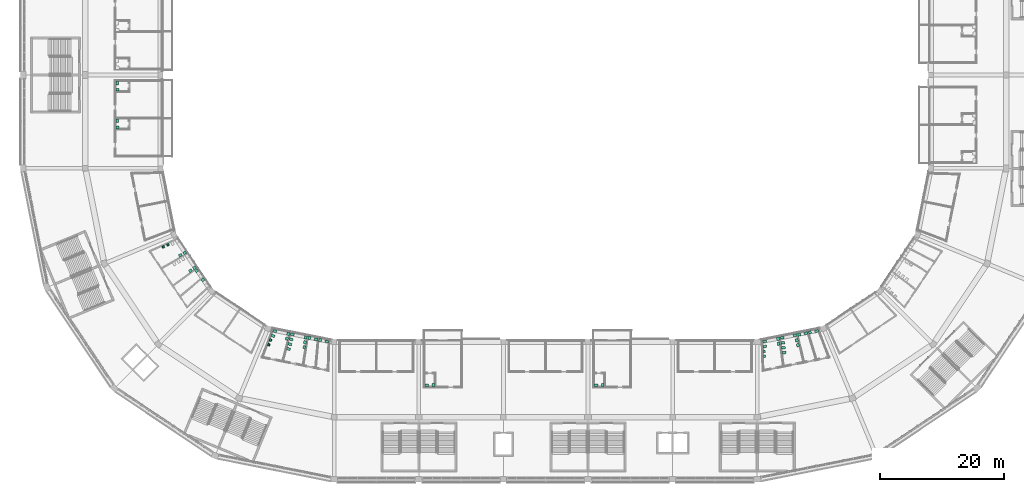
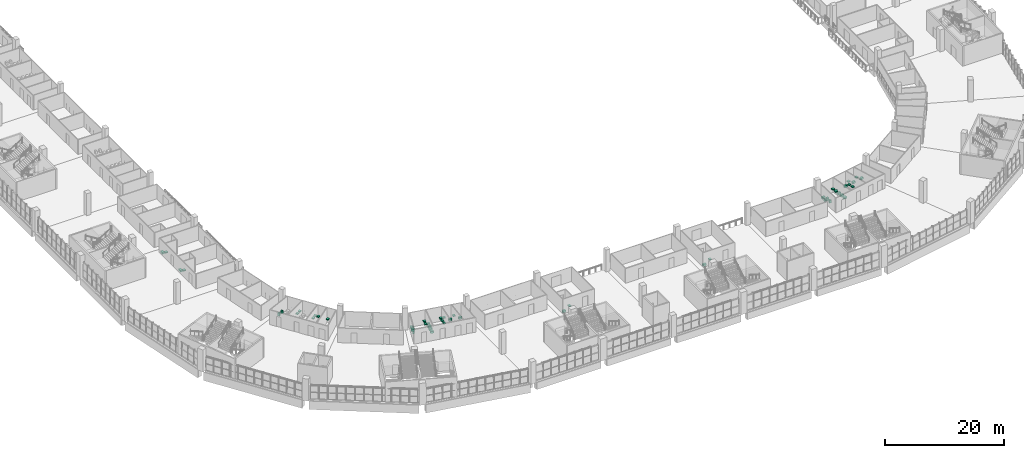
# One storey, part 195 of 199: 50 sanitary terminals.
"""IFC4 building model written with IfcOpenShell, lengths in metres."""

from ifc_helpers import new_model, si_unit, direction, frame, origin, origin_2d, place, context, subcontext, project, spatial, rectangle, extrude, material, type_object, element, save


model = new_model("IFC4")

# Units and contexts
model_context = context("Model", 3, precision=1e-05, world=origin(), true_north=direction((0.0, 1.0)))
body_context = subcontext(model_context, "Body", "Model", "MODEL_VIEW")
ifc_project = project(units=[si_unit("LENGTHUNIT", "METRE"), si_unit("AREAUNIT", "SQUARE_METRE"), si_unit("VOLUMEUNIT", "CUBIC_METRE"), si_unit("PLANEANGLEUNIT", "RADIAN"), si_unit("MASSUNIT", "GRAM", prefix="KILO")], contexts=[model_context])

# Site, building, storey
site_placement = place(None, origin())
site = spatial("IfcSite", under=ifc_project, at=site_placement, CompositionType="ELEMENT")
building_placement = place(site_placement, origin())
building = spatial("IfcBuilding", under=site, at=building_placement, Name="Ogive Plaza Stadium", CompositionType="ELEMENT")
storey_placement = place(building_placement, frame((0.0, 0.0, 9.0)))
storey = spatial("IfcBuildingStorey", under=building, at=storey_placement, Name="L02", CompositionType="ELEMENT", Elevation=9.0)

# Sanitary terminals
ifc_material_1 = material(Name="Vitreous china", Category="ceramic")
sanitary_terminal_type_1 = type_object("IfcSanitaryTerminalType", Name="Drinking fountain", PredefinedType="SANITARYFOUNTAIN", material=ifc_material_1)
sanitary_terminal_placement = place(storey_placement, frame((-38.794921875, -81.2392578125, 0.7998046875), z_axis=(0.0, 0.0, 1.0), x_axis=(-0.157790980185, -0.987472534591, 0.0)))
element("IfcSanitaryTerminal", 1, at=sanitary_terminal_placement, inside=storey, type_object=sanitary_terminal_type_1, Name="Drinking fountain L02-064", PredefinedType="SANITARYFOUNTAIN", context=body_context, shape_type="SweptSolid", body=[
    extrude(rectangle(XDim=0.449951171875, YDim=0.39990234375, at=origin_2d()), origin(), (0.0, 0.0, 1.0), 0.199951171875),
])
ifc_material_2 = material(Name="Vitreous china", Category="ceramic")
sanitary_terminal_type_2 = type_object("IfcSanitaryTerminalType", Name="Lavatory", PredefinedType="WASHHANDBASIN", material=ifc_material_2)
for number, where, z_axis, x_axis, name in (
    (2, (37.3515625, -79.898193359375, 0.7998046875), (0.0, 0.0, 1.0), (0.129510380436, -0.991578066195, 0.0), "Lavatory L02-047"),
    (3, (37.455078125, -80.691650390625, 0.7998046875), (0.0, 0.0, 1.0), (0.129510380436, -0.991578066195, 0.0), "Lavatory L02-047"),
    (4, (-41.388427734375, -79.09521484375, 0.7998046875), (0.0, 0.0, 1.0), (-0.259808508097, -0.965660157157, 0.0), "Lavatory L02-063"),
    (5, (-41.59619140625, -79.867919921875, 0.7998046875), (0.0, 0.0, 1.0), (-0.259808508097, -0.965660157157, 0.0), "Lavatory L02-063"),
    (6, (-58.030029296875, -66.081298828125, 0.7998046875), (0.0, 0.0, 1.0), (-0.866537203333, -0.499112487562, 0.0), "Lavatory L02-069"),
    (7, (-58.723388671875, -66.480712890625, 0.7998046875), (0.0, 0.0, 1.0), (-0.866537203333, -0.499112487562, 0.0), "Lavatory L02-069"),
    (8, (40.364013671875, -80.138671875, 0.7998046875), (0.0, 0.0, 1.0), (0.232109521896, -0.97268965752, 0.0), "Lavatory L02-048"),
    (9, (40.5498046875, -80.916748046875, 0.7998046875), (0.0, 0.0, 1.0), (0.232109521896, -0.97268965752, 0.0), "Lavatory L02-048"),
    (10, (-38.571044921875, -79.68017578125, 0.7998046875), (0.0, 0.0, 1.0), (-0.157790980185, -0.987472534591, 0.0), "Lavatory L02-064"),
    (11, (-38.697265625, -80.47021484375, 0.7998046875), (0.0, 0.0, 1.0), (-0.157790980185, -0.987472534591, 0.0), "Lavatory L02-064"),
    (12, (-56.451416015625, -68.487060546875, 0.7998046875), (0.0, 0.0, 1.0), (-0.809823597544, -0.586673453346, 0.0), "Lavatory L02-070"),
    (13, (-57.099365234375, -68.956298828125, 0.7998046875), (0.0, 0.0, 1.0), (-0.809823597544, -0.586673453346, 0.0), "Lavatory L02-070"),
    (14, (40.75244140625, -79.2275390625, 0.7998046875), (0.0, 0.0, 1.0), (0.237024665741, -0.971503632433, 0.0), "Lavatory L02-049"),
    (15, (42.47802734375, -78.868408203125, 0.7998046875), (0.0, 0.0, 1.0), (0.298349546497, -0.954456676914, 0.0), "Lavatory L02-050"),
    (16, (9.175048828125, -87.324951171875, 0.7998046875), (0.0, 0.0, 1.0), (0.0, 1.0, 0.0), "Lavatory L02-054"),
    (17, (-18.02490234375, -87.324951171875, 0.7998046875), (0.0, 0.0, 1.0), (0.0, 1.0, 0.0), "Lavatory L02-059"),
    (18, (-37.98974609375, -79.777099609375, 0.7998046875), (0.0, 0.0, 1.0), (-0.152796107237, -0.988257734406, 0.0), "Lavatory L02-065"),
    (19, (-36.258056640625, -80.105712890625, 0.7998046875), (0.0, 0.0, 1.0), (-0.089615717622, -0.995976416967, 0.0), "Lavatory L02-066"),
    (20, (-56.10888671875, -68.966796875, 0.7998046875), (0.0, 0.0, 1.0), (-0.806846909124, -0.590760581993, 0.0), "Lavatory L02-071"),
    (21, (-55.11669921875, -70.423583984375, 0.7998046875), (0.0, 0.0, 1.0), (-0.767629559971, -0.640893796708, 0.0), "Lavatory L02-072"),
    (22, (-68.824951171875, -39.875, 0.7998046875), (0.0, 0.0, 1.0), (1.0, 0.0, 0.0), "Lavatory L02-077"),
    (23, (-68.824951171875, -45.949951171875, 0.7998046875), (0.0, 0.0, 1.0), (1.0, 0.0, 0.0), "Lavatory L02-079"),
):
    element("IfcSanitaryTerminal", number, at=place(storey_placement, frame(where, z_axis=z_axis, x_axis=x_axis)), inside=storey, type_object=sanitary_terminal_type_2, Name=name, PredefinedType="WASHHANDBASIN", context=body_context, shape_type="SweptSolid", body=[
        extrude(rectangle(XDim=0.5, YDim=0.449951171875, at=origin_2d()), origin(), (0.0, 0.0, 1.0), 0.199951171875),
    ])
ifc_material_3 = material(Name="Vitreous china", Category="ceramic")
sanitary_terminal_type_3 = type_object("IfcSanitaryTerminalType", Name="Urinal", PredefinedType="URINAL", material=ifc_material_3)
for number, where, z_axis, x_axis, name in (
    (24, (35.112548828125, -81.918701171875, 0.599853515625), (0.0, 0.0, 1.0), (0.031848617527, -0.999492704106, 0.0), "Urinal L02-047"),
    (25, (35.137939453125, -82.71826171875, 0.599853515625), (0.0, 0.0, 1.0), (0.031848617527, -0.999492704106, 0.0), "Urinal L02-047"),
    (26, (-44.230224609375, -80.10498046875, 0.599853515625), (0.0, 0.0, 1.0), (-0.353065012759, -0.93559879049, 0.0), "Urinal L02-063"),
    (27, (-44.5126953125, -80.853515625, 0.599853515625), (0.0, 0.0, 1.0), (-0.353065012759, -0.93559879049, 0.0), "Urinal L02-063"),
    (28, (-60.75341796875, -64.785888671875, 0.599853515625), (0.0, 0.0, 1.0), (-0.911222913947, -0.411913584504, 0.0), "Urinal L02-069"),
    (29, (-61.482421875, -65.115478515625, 0.599853515625), (0.0, 0.0, 1.0), (-0.911222913947, -0.411913584504, 0.0), "Urinal L02-069"),
):
    element("IfcSanitaryTerminal", number, at=place(storey_placement, frame(where, z_axis=z_axis, x_axis=x_axis)), inside=storey, type_object=sanitary_terminal_type_3, Name=name, PredefinedType="URINAL", context=body_context, shape_type="SweptSolid", body=[
        extrude(rectangle(XDim=0.35009765625, YDim=0.35009765625, at=origin_2d()), origin(), (0.0, 0.0, 1.0), 0.60009765625),
    ])
ifc_material_4 = material(Name="Vitreous china", Category="ceramic")
sanitary_terminal_type_4 = type_object("IfcSanitaryTerminalType", Name="Water closet", PredefinedType="TOILETPAN", material=ifc_material_4)
for number, where, z_axis, x_axis, name in (
    (30, (35.187255859375, -80.34033203125, 0.0), (0.0, 0.0, 1.0), (0.031848617527, -0.999492704106, 0.0), "Water closet L02-047"),
    (31, (35.212890625, -81.139892578125, 0.0), (0.0, 0.0, 1.0), (0.031848617527, -0.999492704106, 0.0), "Water closet L02-047"),
    (32, (-43.55712890625, -78.675537109375, 0.0), (0.0, 0.0, 1.0), (-0.353065012759, -0.93559879049, 0.0), "Water closet L02-063"),
    (33, (-43.839599609375, -79.424072265625, 0.0), (0.0, 0.0, 1.0), (-0.353065012759, -0.93559879049, 0.0), "Water closet L02-063"),
    (34, (38.001953125, -79.752197265625, 0.0), (0.0, 0.0, 1.0), (0.134510233024, -0.990912204593, 0.0), "Water closet L02-048"),
    (35, (38.109619140625, -80.544921875, 0.0), (0.0, 0.0, 1.0), (0.134510233024, -0.990912204593, 0.0), "Water closet L02-048"),
    (36, (38.21728515625, -81.337646484375, 0.0), (0.0, 0.0, 1.0), (0.134510233024, -0.990912204593, 0.0), "Water closet L02-048"),
    (37, (38.324951171875, -82.13037109375, 0.0), (0.0, 0.0, 1.0), (0.134510233024, -0.990912204593, 0.0), "Water closet L02-048"),
    (38, (40.09375, -79.3291015625, 0.0), (0.0, 0.0, 1.0), (0.232109521896, -0.97268965752, 0.0), "Water closet L02-048"),
    (39, (-40.7314453125, -79.209228515625, 0.0), (0.0, 0.0, 1.0), (-0.254934432422, -0.966958342001, 0.0), "Water closet L02-064"),
    (40, (-40.935546875, -79.98291015625, 0.0), (0.0, 0.0, 1.0), (-0.254934432422, -0.966958342001, 0.0), "Water closet L02-064"),
    (41, (-41.139404296875, -80.75634765625, 0.0), (0.0, 0.0, 1.0), (-0.254934432422, -0.966958342001, 0.0), "Water closet L02-064"),
    (42, (-41.343505859375, -81.52978515625, 0.0), (0.0, 0.0, 1.0), (-0.254934432422, -0.966958342001, 0.0), "Water closet L02-064"),
    (43, (41.8251953125, -79.003173828125, 0.0), (0.0, 0.0, 1.0), (0.293564859426, -0.955939157745, 0.0), "Water closet L02-049"),
    (44, (43.55712890625, -78.675537109375, 0.0), (0.0, 0.0, 1.0), (0.353065012759, -0.93559879049, 0.0), "Water closet L02-050"),
    (45, (8.074951171875, -87.375, 0.0), (0.0, 0.0, 1.0), (0.0, 1.0, 0.0), "Water closet L02-054"),
    (46, (-19.125, -87.375, 0.0), (0.0, 0.0, 1.0), (0.0, 1.0, 0.0), "Water closet L02-059"),
    (47, (-36.912841796875, -79.980224609375, 0.0), (0.0, 0.0, 1.0), (-0.09460351293, -0.995515030194, 0.0), "Water closet L02-065"),
    (48, (-35.187255859375, -80.34033203125, 0.0), (0.0, 0.0, 1.0), (-0.031848617527, -0.999492704106, 0.0), "Water closet L02-066"),
    (49, (-68.875, -38.77490234375, 0.0), (0.0, 0.0, 1.0), (1.0, 0.0, 0.0), "Water closet L02-077"),
    (50, (-68.875, -44.85009765625, 0.0), (0.0, 0.0, 1.0), (1.0, 0.0, 0.0), "Water closet L02-079"),
):
    element("IfcSanitaryTerminal", number, at=place(storey_placement, frame(where, z_axis=z_axis, x_axis=x_axis)), inside=storey, type_object=sanitary_terminal_type_4, Name=name, PredefinedType="TOILETPAN", context=body_context, shape_type="SweptSolid", body=[
        extrude(rectangle(XDim=0.39990234375, YDim=0.60009765625, at=origin_2d()), origin(), (0.0, 0.0, 1.0), 0.39990234375),
    ])

save(model, "model.ifc")
